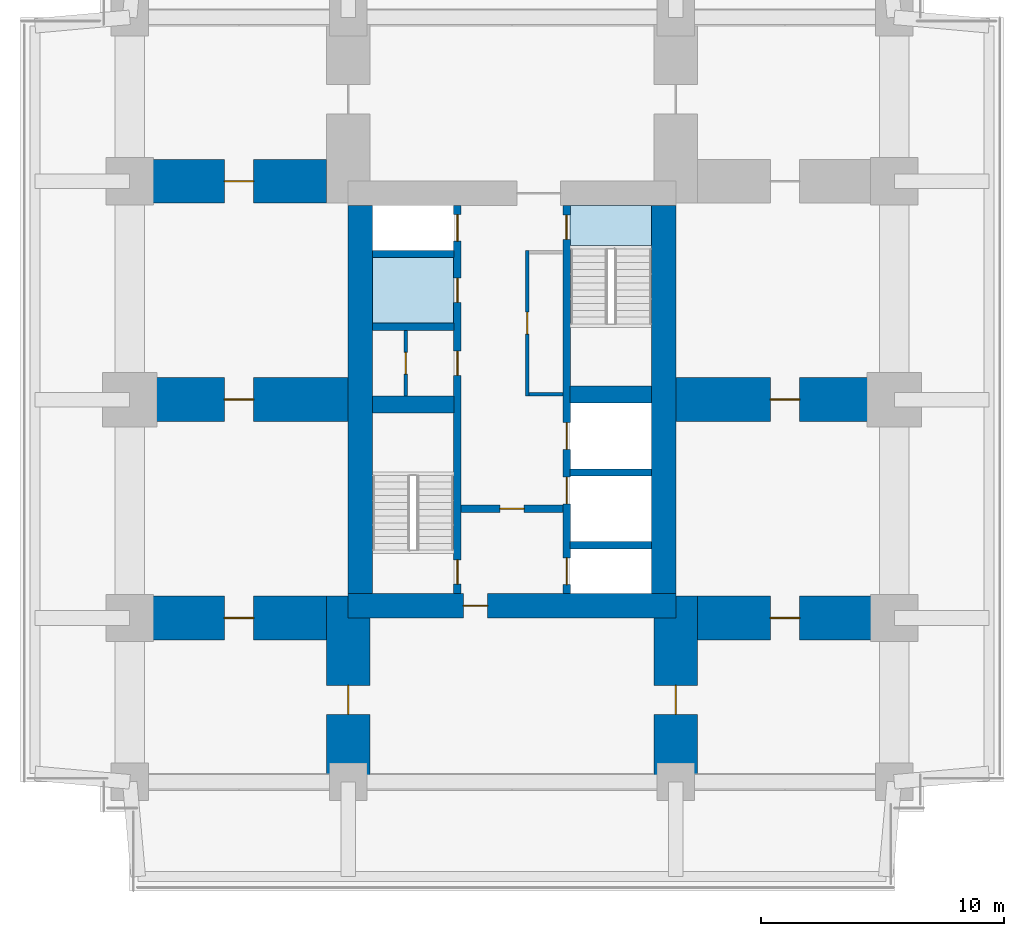
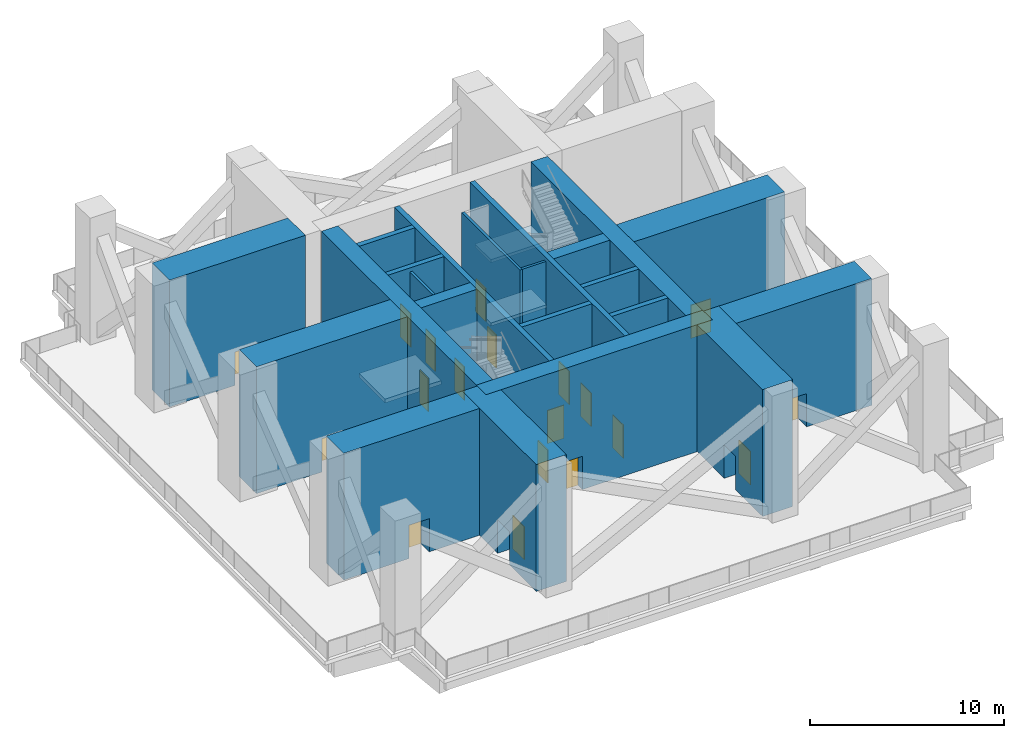
# One storey, part 2 of 6: 22 walls, 19 doors, 3 slabs, 19 openings, 1 element without a shape of its own.
"""IFC4 building model written with IfcOpenShell, lengths in metres."""

from ifc_helpers import new_model, si_unit, direction, frame, frame_2d, origin, place, context, subcontext, project, spatial, polyline, rectangle, outline, extrude, material, layer, layer_set, type_object, element, fill, aggregate, save


model = new_model("IFC4")

# Units and contexts
model_context = context("Model", 3, precision=1e-05, world=origin(), true_north=direction((0.0, 1.0)))
body_context = subcontext(model_context, "Body", "Model", "MODEL_VIEW")
ifc_project = project(units=[si_unit("LENGTHUNIT", "METRE"), si_unit("AREAUNIT", "SQUARE_METRE"), si_unit("VOLUMEUNIT", "CUBIC_METRE"), si_unit("PLANEANGLEUNIT", "RADIAN"), si_unit("MASSUNIT", "GRAM", prefix="KILO")], contexts=[model_context])

# Site, building, storey
site_placement = place(None, origin())
site = spatial("IfcSite", under=ifc_project, at=site_placement, CompositionType="ELEMENT")
building_placement = place(site_placement, origin())
building = spatial("IfcBuilding", under=site, at=building_placement, Name="Namib Vertical Campus", CompositionType="ELEMENT")
storey_placement = place(building_placement, frame((0.0, 0.0, 245.0)))
storey = spatial("IfcBuildingStorey", under=building, at=storey_placement, Name="L58", CompositionType="ELEMENT", Elevation=245.0)

# Slab
ifc_material_1 = material(Name="Concrete C40/50 precast", Category="concrete")
ifc_layer_1 = layer(ifc_material_1, 0.25)
ifc_layer_set_1 = layer_set([ifc_layer_1], Name="Concrete C40/50 precast")
slab_type_1 = type_object("IfcSlabType", Name="Shaft infill floor 250", PredefinedType="FLOOR", material=ifc_layer_set_1)
slab_1_placement = place(storey_placement, frame((0.0, 0.0, -0.25)))
element("IfcSlab", 1, at=slab_1_placement, inside=storey, type_object=slab_type_1, Name="Shaft infill floor A L58 P2", PredefinedType="FLOOR", context=body_context, shape_type="SweptSolid", body=[
    extrude(outline(polyline([(14.5, 23.39990234375), (17.85009765625, 23.39990234375), (17.85009765625, 26.10009765625), (14.5, 26.10009765625), (14.5, 23.39990234375)])), origin(), (0.0, 0.0, 1.0), 0.25),
])

# Stair, slabs
ifc_material_2 = material(Name="Concrete C40/50 precast", Category="concrete")
stair_type = type_object("IfcStairType", Name="Exit stair 8000 rise 48 risers 3350 wide", PredefinedType="HALF_TURN_STAIR", material=ifc_material_2)
stair_placement = place(storey_placement, origin())
stair = element("IfcStair", 2, at=stair_placement, inside=storey, type_object=stair_type, Name="Exit stair A-S2 L58", PredefinedType="HALF_TURN_STAIR")
ifc_material_3 = material(Name="Concrete C40/50", Category="concrete")
ifc_layer_2 = layer(ifc_material_3, 0.199951171875)
ifc_layer_set_2 = layer_set([ifc_layer_2], Name="Concrete C40/50")
slab_type_2 = type_object("IfcSlabType", Name="Stair landing 200", PredefinedType="LANDING", material=ifc_layer_set_2)
slab_2_placement = place(storey_placement, frame((0.0, 0.0, -0.199951171875)))
slab_2 = element("IfcSlab", 3, at=slab_2_placement, type_object=slab_type_2, Name="A-S2 landing 1", PredefinedType="LANDING", context=body_context, shape_type="SweptSolid", body=[
    extrude(outline(polyline([(22.64990234375, 26.59619140625), (26.0, 26.59619140625), (26.0, 28.25), (22.64990234375, 28.25), (22.64990234375, 26.59619140625)])), origin(), (0.0, 0.0, 1.0), 0.199951171875),
])
slab_3_placement = place(storey_placement, frame((0.0, 0.0, 3.800048828125)))
slab_3 = element("IfcSlab", 4, at=slab_3_placement, type_object=slab_type_2, Name="A-S2 landing 3", PredefinedType="LANDING", context=body_context, shape_type="SweptSolid", body=[
    extrude(outline(polyline([(22.64990234375, 26.59619140625), (26.0, 26.59619140625), (26.0, 28.25), (22.64990234375, 28.25), (22.64990234375, 26.59619140625)])), origin(), (0.0, 0.0, 1.0), 0.199951171875),
])
aggregate(stair, [slab_2, slab_3])

# Wall, openings, doors
ifc_material_4 = material(Name="Concrete C60/75", Category="concrete")
ifc_layer_3 = layer(ifc_material_4, 0.300048828125)
ifc_layer_set_3 = layer_set([ifc_layer_3], Name="Concrete C60/75")
wall_type_1 = type_object("IfcWallType", Name="Core inner wall 300", PredefinedType="SHEAR", material=ifc_layer_set_3)
wall_1_placement = place(storey_placement, frame((18.0, 12.25, 0.0), z_axis=(0.0, 0.0, 1.0), x_axis=(0.0, 1.0, 0.0)))
wall_1 = element("IfcWall", 5, at=wall_1_placement, inside=storey, type_object=wall_type_1, Name="Core inner wall A L58 W1", PredefinedType="SHEAR", context=body_context, shape_type="SweptSolid", body=[
    extrude(rectangle(XDim=16.0, YDim=0.300048828125, at=frame_2d((8.0, 0.0))), origin(), (0.0, 0.0, 1.0), 8.0),
])
opening_1_placement = place(wall_1_placement, frame((0.39990234375, 0.0, 0.0)))
opening_1 = element("IfcOpeningElement", 6, at=opening_1_placement, cuts=wall_1, Name="Opening FD1", PredefinedType="OPENING", context=body_context, shape_type="SweptSolid", body=[
    extrude(rectangle(XDim=1.0, YDim=2.10009765625, at=frame_2d((0.5, 1.050048828125))), frame((0.0, 0.159912109375, 0.0), z_axis=(0.0, -1.0, 0.0), x_axis=(1.0, 0.0, 0.0)), (0.0, 0.0, 1.0), 0.320068359375),
])
opening_2_placement = place(wall_1_placement, frame((14.52490234375, 0.0, 0.0)))
opening_2 = element("IfcOpeningElement", 7, at=opening_2_placement, cuts=wall_1, Name="Opening LD1", PredefinedType="OPENING", context=body_context, shape_type="SweptSolid", body=[
    extrude(rectangle(XDim=1.10009765625, YDim=2.10009765625, at=frame_2d((0.550048828125, 1.050048828125))), frame((0.0, 0.159912109375, 0.0), z_axis=(0.0, -1.0, 0.0), x_axis=(1.0, 0.0, 0.0)), (0.0, 0.0, 1.0), 0.320068359375),
])
opening_3_placement = place(wall_1_placement, frame((9.0, 0.0, 0.0)))
opening_3 = element("IfcOpeningElement", 8, at=opening_3_placement, cuts=wall_1, Name="Opening D1", PredefinedType="OPENING", context=body_context, shape_type="SweptSolid", body=[
    extrude(rectangle(XDim=1.0, YDim=2.10009765625, at=frame_2d((0.5, 1.050048828125))), frame((0.0, 0.159912109375, 0.0), z_axis=(0.0, -1.0, 0.0), x_axis=(1.0, 0.0, 0.0)), (0.0, 0.0, 1.0), 0.320068359375),
])
opening_4_placement = place(wall_1_placement, frame((12.0, 0.0, 0.0)))
opening_4 = element("IfcOpeningElement", 9, at=opening_4_placement, cuts=wall_1, Name="Opening D1", PredefinedType="OPENING", context=body_context, shape_type="SweptSolid", body=[
    extrude(rectangle(XDim=1.0, YDim=2.10009765625, at=frame_2d((0.5, 1.050048828125))), frame((0.0, 0.159912109375, 0.0), z_axis=(0.0, -1.0, 0.0), x_axis=(1.0, 0.0, 0.0)), (0.0, 0.0, 1.0), 0.320068359375),
])
ifc_material_5 = material(Name="Timber door leaf", Category="wood")
door_type_1 = type_object("IfcDoorType", Name="Door single 1000x2100", OperationType="SINGLE_SWING_LEFT", PredefinedType="DOOR", material=ifc_material_5)
door_1_placement = place(opening_3_placement, origin())
door_1 = element("IfcDoor", 10, at=door_1_placement, inside=storey, type_object=door_type_1, Name="Door D1 Store A L58 P1", OperationType="SINGLE_SWING_LEFT", OverallHeight=2.10009765625, OverallWidth=1.0, PredefinedType="DOOR", context=body_context, shape_type="SweptSolid", body=[
    extrude(rectangle(XDim=1.0, YDim=2.10009765625, at=frame_2d((0.5, 1.050048828125))), frame((0.0, 0.02490234375, 0.0), z_axis=(0.0, -1.0, 0.0), x_axis=(1.0, 0.0, 0.0)), (0.0, 0.0, 1.0), 0.050048828125),
])
fill(opening_3, door_1)
door_2_placement = place(opening_4_placement, origin())
door_2 = element("IfcDoor", 11, at=door_2_placement, inside=storey, type_object=door_type_1, Name="Door D1 Cleaners' store A L58 P2", OperationType="SINGLE_SWING_LEFT", OverallHeight=2.10009765625, OverallWidth=1.0, PredefinedType="DOOR", context=body_context, shape_type="SweptSolid", body=[
    extrude(rectangle(XDim=1.0, YDim=2.10009765625, at=frame_2d((0.5, 1.050048828125))), frame((0.0, 0.02490234375, 0.0), z_axis=(0.0, -1.0, 0.0), x_axis=(1.0, 0.0, 0.0)), (0.0, 0.0, 1.0), 0.050048828125),
])
fill(opening_4, door_2)
ifc_material_6 = material(Name="Steel fire door", Category="steel")
door_type_2 = type_object("IfcDoorType", Name="Fire door 1000x2100", OperationType="SINGLE_SWING_RIGHT", PredefinedType="DOOR", material=ifc_material_6)
door_3_placement = place(opening_1_placement, origin())
door_3 = element("IfcDoor", 12, at=door_3_placement, inside=storey, type_object=door_type_2, Name="Stair door FD1 A L58 S1", OperationType="SINGLE_SWING_LEFT", OverallHeight=2.10009765625, OverallWidth=1.0, PredefinedType="DOOR", context=body_context, shape_type="SweptSolid", body=[
    extrude(rectangle(XDim=1.0, YDim=2.10009765625, at=frame_2d((0.5, 1.050048828125))), frame((0.0, 0.02490234375, 0.0), z_axis=(0.0, -1.0, 0.0), x_axis=(1.0, 0.0, 0.0)), (0.0, 0.0, 1.0), 0.050048828125),
])
fill(opening_1, door_3)
ifc_material_7 = material(Name="Stainless steel lift door", Category="steel")
door_type_3 = type_object("IfcDoorType", Name="Lift landing door 1100x2100", OperationType="DOUBLE_DOOR_SLIDING", PredefinedType="DOOR", material=ifc_material_7)
door_4_placement = place(opening_2_placement, origin())
door_4 = element("IfcDoor", 13, at=door_4_placement, inside=storey, type_object=door_type_3, Name="Lift landing door LD1 A-P3 L58", OperationType="DOUBLE_DOOR_SLIDING", OverallHeight=2.10009765625, OverallWidth=1.10009765625, PredefinedType="DOOR", context=body_context, shape_type="SweptSolid", body=[
    extrude(rectangle(XDim=1.10009765625, YDim=2.10009765625, at=frame_2d((0.550048828125, 1.050048828125))), frame((0.0, 0.02490234375, 0.0), z_axis=(0.0, -1.0, 0.0), x_axis=(1.0, 0.0, 0.0)), (0.0, 0.0, 1.0), 0.050048828125),
])
fill(opening_2, door_4)

wall_2_placement = place(storey_placement, frame((22.5, 12.25, 0.0), z_axis=(0.0, 0.0, 1.0), x_axis=(0.0, 1.0, 0.0)))
wall_2 = element("IfcWall", 14, at=wall_2_placement, inside=storey, type_object=wall_type_1, Name="Core inner wall A L58 W2", PredefinedType="SHEAR", context=body_context, shape_type="SweptSolid", body=[
    extrude(rectangle(XDim=16.0, YDim=0.300048828125, at=frame_2d((8.0, 0.0))), origin(), (0.0, 0.0, 1.0), 8.0),
])
opening_5_placement = place(wall_2_placement, frame((14.60009765625, 0.0, 0.0)))
opening_5 = element("IfcOpeningElement", 15, at=opening_5_placement, cuts=wall_2, Name="Opening FD1", PredefinedType="OPENING", context=body_context, shape_type="SweptSolid", body=[
    extrude(rectangle(XDim=1.0, YDim=2.10009765625, at=frame_2d((0.5, 1.050048828125))), frame((0.0, 0.159912109375, 0.0), z_axis=(0.0, -1.0, 0.0), x_axis=(1.0, 0.0, 0.0)), (0.0, 0.0, 1.0), 0.320068359375),
])
opening_6_placement = place(wall_2_placement, frame((0.375, 0.0, 0.0)))
opening_6 = element("IfcOpeningElement", 16, at=opening_6_placement, cuts=wall_2, Name="Opening LD1", PredefinedType="OPENING", context=body_context, shape_type="SweptSolid", body=[
    extrude(rectangle(XDim=1.10009765625, YDim=2.10009765625, at=frame_2d((0.550048828125, 1.050048828125))), frame((0.0, 0.159912109375, 0.0), z_axis=(0.0, -1.0, 0.0), x_axis=(1.0, 0.0, 0.0)), (0.0, 0.0, 1.0), 0.320068359375),
])
opening_7_placement = place(wall_2_placement, frame((3.699951171875, 0.0, 0.0)))
opening_7 = element("IfcOpeningElement", 17, at=opening_7_placement, cuts=wall_2, Name="Opening LD1", PredefinedType="OPENING", context=body_context, shape_type="SweptSolid", body=[
    extrude(rectangle(XDim=1.10009765625, YDim=2.10009765625, at=frame_2d((0.550048828125, 1.050048828125))), frame((0.0, 0.159912109375, 0.0), z_axis=(0.0, -1.0, 0.0), x_axis=(1.0, 0.0, 0.0)), (0.0, 0.0, 1.0), 0.320068359375),
])
opening_8_placement = place(wall_2_placement, frame((5.949951171875, 0.0, 0.0)))
opening_8 = element("IfcOpeningElement", 18, at=opening_8_placement, cuts=wall_2, Name="Opening LD1", PredefinedType="OPENING", context=body_context, shape_type="SweptSolid", body=[
    extrude(rectangle(XDim=1.10009765625, YDim=2.10009765625, at=frame_2d((0.550048828125, 1.050048828125))), frame((0.0, 0.159912109375, 0.0), z_axis=(0.0, -1.0, 0.0), x_axis=(1.0, 0.0, 0.0)), (0.0, 0.0, 1.0), 0.320068359375),
])
door_5_placement = place(opening_5_placement, frame((1.0, 0.0, 0.0), z_axis=(0.0, 0.0, 1.0), x_axis=(-1.0, 0.0, 0.0)))
door_5 = element("IfcDoor", 19, at=door_5_placement, inside=storey, type_object=door_type_2, Name="Stair door FD1 A L58 S2", OperationType="SINGLE_SWING_LEFT", OverallHeight=2.10009765625, OverallWidth=1.0, PredefinedType="DOOR", context=body_context, shape_type="SweptSolid", body=[
    extrude(rectangle(XDim=1.0, YDim=2.10009765625, at=frame_2d((0.5, 1.050048828125))), frame((0.0, 0.02490234375, 0.0), z_axis=(0.0, -1.0, 0.0), x_axis=(1.0, 0.0, 0.0)), (0.0, 0.0, 1.0), 0.050048828125),
])
fill(opening_5, door_5)
door_6_placement = place(opening_6_placement, origin())
door_6 = element("IfcDoor", 20, at=door_6_placement, inside=storey, type_object=door_type_3, Name="Lift landing door LD1 A-FL1 L58", OperationType="DOUBLE_DOOR_SLIDING", OverallHeight=2.10009765625, OverallWidth=1.10009765625, PredefinedType="DOOR", context=body_context, shape_type="SweptSolid", body=[
    extrude(rectangle(XDim=1.10009765625, YDim=2.10009765625, at=frame_2d((0.550048828125, 1.050048828125))), frame((0.0, 0.02490234375, 0.0), z_axis=(0.0, -1.0, 0.0), x_axis=(1.0, 0.0, 0.0)), (0.0, 0.0, 1.0), 0.050048828125),
])
fill(opening_6, door_6)
door_7_placement = place(opening_7_placement, origin())
door_7 = element("IfcDoor", 21, at=door_7_placement, inside=storey, type_object=door_type_3, Name="Lift landing door LD1 A-P4 L58", OperationType="DOUBLE_DOOR_SLIDING", OverallHeight=2.10009765625, OverallWidth=1.10009765625, PredefinedType="DOOR", context=body_context, shape_type="SweptSolid", body=[
    extrude(rectangle(XDim=1.10009765625, YDim=2.10009765625, at=frame_2d((0.550048828125, 1.050048828125))), frame((0.0, 0.02490234375, 0.0), z_axis=(0.0, -1.0, 0.0), x_axis=(1.0, 0.0, 0.0)), (0.0, 0.0, 1.0), 0.050048828125),
])
fill(opening_7, door_7)
door_8_placement = place(opening_8_placement, origin())
door_8 = element("IfcDoor", 22, at=door_8_placement, inside=storey, type_object=door_type_3, Name="Lift landing door LD1 A-P5 L58", OperationType="DOUBLE_DOOR_SLIDING", OverallHeight=2.10009765625, OverallWidth=1.10009765625, PredefinedType="DOOR", context=body_context, shape_type="SweptSolid", body=[
    extrude(rectangle(XDim=1.10009765625, YDim=2.10009765625, at=frame_2d((0.550048828125, 1.050048828125))), frame((0.0, 0.02490234375, 0.0), z_axis=(0.0, -1.0, 0.0), x_axis=(1.0, 0.0, 0.0)), (0.0, 0.0, 1.0), 0.050048828125),
])
fill(opening_8, door_8)

# Wall, opening, door
wall_3_placement = place(storey_placement, frame((18.14990234375, 15.75, 0.0), z_axis=(0.0, 0.0, 1.0), x_axis=(1.0, 0.0, 0.0)))
wall_3 = element("IfcWall", 23, at=wall_3_placement, inside=storey, type_object=wall_type_1, Name="Core inner wall A L58 W4", PredefinedType="SHEAR", context=body_context, shape_type="SweptSolid", body=[
    extrude(rectangle(XDim=4.2001953125, YDim=0.300048828125, at=frame_2d((2.10009765625, 0.0))), origin(), (0.0, 0.0, 1.0), 8.0),
])
opening_9_placement = place(wall_3_placement, frame((1.60009765625, 0.0, 0.0)))
opening_9 = element("IfcOpeningElement", 24, at=opening_9_placement, cuts=wall_3, Name="Opening FD5", PredefinedType="OPENING", context=body_context, shape_type="SweptSolid", body=[
    extrude(rectangle(XDim=1.0, YDim=2.10009765625, at=frame_2d((0.5, 1.050048828125))), frame((0.0, 0.159912109375, 0.0), z_axis=(0.0, -1.0, 0.0), x_axis=(1.0, 0.0, 0.0)), (0.0, 0.0, 1.0), 0.320068359375),
])
ifc_material_8 = material(Name="Steel fire door", Category="steel")
door_type_4 = type_object("IfcDoorType", Name="Fire door 1000x2100 120 min", OperationType="SINGLE_SWING_RIGHT", PredefinedType="DOOR", material=ifc_material_8)
door_9_placement = place(opening_9_placement, frame((1.0, 0.0, 0.0), z_axis=(0.0, 0.0, 1.0), x_axis=(-1.0, 0.0, 0.0)))
door_9 = element("IfcDoor", 25, at=door_9_placement, inside=storey, type_object=door_type_4, Name="Lobby door FD5 A L58", OperationType="SINGLE_SWING_RIGHT", OverallHeight=2.10009765625, OverallWidth=1.0, PredefinedType="DOOR", context=body_context, shape_type="SweptSolid", body=[
    extrude(rectangle(XDim=1.0, YDim=2.10009765625, at=frame_2d((0.5, 1.050048828125))), frame((0.0, 0.02490234375, 0.0), z_axis=(0.0, -1.0, 0.0), x_axis=(1.0, 0.0, 0.0)), (0.0, 0.0, 1.0), 0.050048828125),
])
fill(opening_9, door_9)

# Walls
for number, where, z_axis, x_axis, name in (
    (26, (22.64990234375, 14.25, 0.0), (0.0, 0.0, 1.0), (1.0, 0.0, 0.0), "Core inner wall A L58 W5"),
    (27, (22.64990234375, 17.25, 0.0), (0.0, 0.0, 1.0), (1.0, 0.0, 0.0), "Core inner wall A L58 W6"),
    (28, (14.5, 23.25, 0.0), (0.0, 0.0, 1.0), (1.0, 0.0, 0.0), "Core inner wall A L58 W8"),
    (29, (14.5, 26.25, 0.0), (0.0, 0.0, 1.0), (1.0, 0.0, 0.0), "Core inner wall A L58 W9"),
):
    element("IfcWall", number, at=place(storey_placement, frame(where, z_axis=z_axis, x_axis=x_axis)), inside=storey, type_object=wall_type_1, Name=name, PredefinedType="SHEAR", context=body_context, shape_type="SweptSolid", body=[
        extrude(rectangle(XDim=3.35009765625, YDim=0.300048828125, at=frame_2d((1.675048828125, 0.0))), origin(), (0.0, 0.0, 1.0), 8.0),
    ])
ifc_material_9 = material(Name="Concrete C60/75", Category="concrete")
ifc_layer_4 = layer(ifc_material_9, 0.699951171875)
ifc_layer_set_4 = layer_set([ifc_layer_4], Name="Concrete C60/75")
wall_type_2 = type_object("IfcWallType", Name="Core shear wall 700", PredefinedType="SHEAR", material=ifc_layer_set_4)
for number, where, z_axis, x_axis, name in (
    (30, (14.5, 20.050048828125, 0.0), (0.0, 0.0, 1.0), (1.0, 0.0, 0.0), "Core shear wall A L58 W3"),
    (31, (22.64990234375, 20.449951171875, 0.0), (0.0, 0.0, 1.0), (1.0, 0.0, 0.0), "Core shear wall A L58 W7"),
):
    element("IfcWall", number, at=place(storey_placement, frame(where, z_axis=z_axis, x_axis=x_axis)), inside=storey, type_object=wall_type_2, Name=name, PredefinedType="SHEAR", context=body_context, shape_type="SweptSolid", body=[
        extrude(rectangle(XDim=3.35009765625, YDim=0.699951171875, at=frame_2d((1.675048828125, 0.0))), origin(), (0.0, 0.0, 1.0), 8.0),
    ])

# Wall, opening, door
ifc_material_10 = material(Name="Concrete C60/75", Category="concrete")
ifc_layer_5 = layer(ifc_material_10, 1.0)
ifc_layer_set_5 = layer_set([ifc_layer_5], Name="Concrete C60/75")
wall_type_3 = type_object("IfcWallType", Name="Core wall 1000", PredefinedType="SHEAR", material=ifc_layer_set_5)
wall_4_placement = place(storey_placement, frame((13.5, 11.75, 0.0), z_axis=(0.0, 0.0, 1.0), x_axis=(1.0, 0.0, 0.0)))
wall_4 = element("IfcWall", 32, at=wall_4_placement, inside=storey, type_object=wall_type_3, Name="Core wall A L58 1", PredefinedType="SHEAR", context=body_context, shape_type="SweptSolid", body=[
    extrude(rectangle(XDim=13.5, YDim=1.0, at=frame_2d((6.75, 0.0))), origin(), (0.0, 0.0, 1.0), 8.0),
])
opening_10_placement = place(wall_4_placement, frame((4.75, 0.0, 0.0)))
opening_10 = element("IfcOpeningElement", 33, at=opening_10_placement, cuts=wall_4, Name="Opening FD5", PredefinedType="OPENING", context=body_context, shape_type="SweptSolid", body=[
    extrude(rectangle(XDim=1.0, YDim=2.10009765625, at=frame_2d((0.5, 1.050048828125))), frame((0.0, 0.510009765625, 0.0), z_axis=(0.0, -1.0, 0.0), x_axis=(1.0, 0.0, 0.0)), (0.0, 0.0, 1.0), 1.02001953125),
])
door_10_placement = place(opening_10_placement, frame((1.0, 0.0, 0.0), z_axis=(0.0, 0.0, 1.0), x_axis=(-1.0, 0.0, 0.0)))
door_10 = element("IfcDoor", 34, at=door_10_placement, inside=storey, type_object=door_type_4, Name="Firefighting lobby door FD5 A L58", OperationType="SINGLE_SWING_LEFT", OverallHeight=2.10009765625, OverallWidth=1.0, PredefinedType="DOOR", context=body_context, shape_type="SweptSolid", body=[
    extrude(rectangle(XDim=1.0, YDim=2.10009765625, at=frame_2d((0.5, 1.050048828125))), frame((0.0, 0.02490234375, 0.0), z_axis=(0.0, -1.0, 0.0), x_axis=(1.0, 0.0, 0.0)), (0.0, 0.0, 1.0), 0.050048828125),
])
fill(opening_10, door_10)

# Walls
for number, where, z_axis, x_axis, name in (
    (35, (26.5, 12.25, 0.0), (0.0, 0.0, 1.0), (0.0, 1.0, 0.0), "Core wall A L58 2"),
    (36, (14.0, 28.25, 0.0), (0.0, 0.0, 1.0), (0.0, -1.0, 0.0), "Core wall A L58 4"),
):
    element("IfcWall", number, at=place(storey_placement, frame(where, z_axis=z_axis, x_axis=x_axis)), inside=storey, type_object=wall_type_3, Name=name, PredefinedType="SHEAR", context=body_context, shape_type="SweptSolid", body=[
        extrude(rectangle(XDim=16.0, YDim=1.0, at=frame_2d((8.0, 0.0))), origin(), (0.0, 0.0, 1.0), 8.0),
    ])

# Wall, opening, door
ifc_material_11 = material(Name="Concrete C60/75", Category="concrete")
ifc_layer_6 = layer(ifc_material_11, 1.800048828125)
ifc_layer_set_6 = layer_set([ifc_layer_6], Name="Concrete C60/75")
wall_type_4 = type_object("IfcWallType", Name="Outrigger wall 1800", PredefinedType="SHEAR", material=ifc_layer_set_6)
wall_5_placement = place(storey_placement, frame((13.5, 4.5, 0.0), z_axis=(0.0, 0.0, 1.0), x_axis=(0.0, 1.0, 0.0)))
wall_5 = element("IfcWall", 37, at=wall_5_placement, inside=storey, type_object=wall_type_4, Name="Outrigger wall A L58 OR1", PredefinedType="SHEAR", context=body_context, shape_type="SweptSolid", body=[
    extrude(rectangle(XDim=7.64990234375, YDim=1.800048828125, at=frame_2d((3.824951171875, 0.0))), origin(), (0.0, 0.0, 1.0), 8.0),
])
opening_11_placement = place(wall_5_placement, frame((2.77490234375, 0.0, 0.0)))
opening_11 = element("IfcOpeningElement", 38, at=opening_11_placement, cuts=wall_5, Name="Opening RD1", PredefinedType="OPENING", context=body_context, shape_type="SweptSolid", body=[
    extrude(rectangle(XDim=1.199951171875, YDim=2.10009765625, at=frame_2d((0.60009765625, 1.050048828125))), frame((0.0, 0.909912109375, 0.0), z_axis=(0.0, -1.0, 0.0), x_axis=(1.0, 0.0, 0.0)), (0.0, 0.0, 1.0), 1.820068359375),
])
ifc_material_12 = material(Name="Steel fire door", Category="steel")
door_type_5 = type_object("IfcDoorType", Name="Refuge door 1200x2100", OperationType="DOUBLE_DOOR_DOUBLE_SWING", PredefinedType="DOOR", material=ifc_material_12)
door_11_placement = place(opening_11_placement, origin())
door_11 = element("IfcDoor", 39, at=door_11_placement, inside=storey, type_object=door_type_5, Name="Refuge door RD1 A L58 OR1", OperationType="DOUBLE_DOOR_DOUBLE_SWING", OverallHeight=2.10009765625, OverallWidth=1.199951171875, PredefinedType="DOOR", context=body_context, shape_type="SweptSolid", body=[
    extrude(rectangle(XDim=1.199951171875, YDim=2.10009765625, at=frame_2d((0.60009765625, 1.050048828125))), frame((0.0, 0.02490234375, 0.0), z_axis=(0.0, -1.0, 0.0), x_axis=(1.0, 0.0, 0.0)), (0.0, 0.0, 1.0), 0.050048828125),
])
fill(opening_11, door_11)

wall_6_placement = place(storey_placement, frame((27.0, 4.5, 0.0), z_axis=(0.0, 0.0, 1.0), x_axis=(0.0, 1.0, 0.0)))
wall_6 = element("IfcWall", 40, at=wall_6_placement, inside=storey, type_object=wall_type_4, Name="Outrigger wall A L58 OR2", PredefinedType="SHEAR", context=body_context, shape_type="SweptSolid", body=[
    extrude(rectangle(XDim=7.64990234375, YDim=1.800048828125, at=frame_2d((3.824951171875, 0.0))), origin(), (0.0, 0.0, 1.0), 8.0),
])
opening_12_placement = place(wall_6_placement, frame((2.77490234375, 0.0, 0.0)))
opening_12 = element("IfcOpeningElement", 41, at=opening_12_placement, cuts=wall_6, Name="Opening RD1", PredefinedType="OPENING", context=body_context, shape_type="SweptSolid", body=[
    extrude(rectangle(XDim=1.199951171875, YDim=2.10009765625, at=frame_2d((0.60009765625, 1.050048828125))), frame((0.0, 0.909912109375, 0.0), z_axis=(0.0, -1.0, 0.0), x_axis=(1.0, 0.0, 0.0)), (0.0, 0.0, 1.0), 1.820068359375),
])
door_12_placement = place(opening_12_placement, origin())
door_12 = element("IfcDoor", 42, at=door_12_placement, inside=storey, type_object=door_type_5, Name="Refuge door RD1 A L58 OR2", OperationType="DOUBLE_DOOR_DOUBLE_SWING", OverallHeight=2.10009765625, OverallWidth=1.199951171875, PredefinedType="DOOR", context=body_context, shape_type="SweptSolid", body=[
    extrude(rectangle(XDim=1.199951171875, YDim=2.10009765625, at=frame_2d((0.60009765625, 1.050048828125))), frame((0.0, 0.02490234375, 0.0), z_axis=(0.0, -1.0, 0.0), x_axis=(1.0, 0.0, 0.0)), (0.0, 0.0, 1.0), 0.050048828125),
])
fill(opening_12, door_12)

wall_7_placement = place(storey_placement, frame((4.5, 20.25, 0.0), z_axis=(0.0, 0.0, 1.0), x_axis=(1.0, 0.0, 0.0)))
wall_7 = element("IfcWall", 43, at=wall_7_placement, inside=storey, type_object=wall_type_4, Name="Outrigger wall A L58 OR5", PredefinedType="SHEAR", context=body_context, shape_type="SweptSolid", body=[
    extrude(rectangle(XDim=9.0, YDim=1.800048828125, at=frame_2d((4.5, 0.0))), origin(), (0.0, 0.0, 1.0), 8.0),
])
opening_13_placement = place(wall_7_placement, frame((3.89990234375, 0.0, 0.0)))
opening_13 = element("IfcOpeningElement", 44, at=opening_13_placement, cuts=wall_7, Name="Opening RD1", PredefinedType="OPENING", context=body_context, shape_type="SweptSolid", body=[
    extrude(rectangle(XDim=1.199951171875, YDim=2.10009765625, at=frame_2d((0.60009765625, 1.050048828125))), frame((0.0, 0.909912109375, 0.0), z_axis=(0.0, -1.0, 0.0), x_axis=(1.0, 0.0, 0.0)), (0.0, 0.0, 1.0), 1.820068359375),
])
door_13_placement = place(opening_13_placement, origin())
door_13 = element("IfcDoor", 45, at=door_13_placement, inside=storey, type_object=door_type_5, Name="Refuge door RD1 A L58 OR5", OperationType="DOUBLE_DOOR_DOUBLE_SWING", OverallHeight=2.10009765625, OverallWidth=1.199951171875, PredefinedType="DOOR", context=body_context, shape_type="SweptSolid", body=[
    extrude(rectangle(XDim=1.199951171875, YDim=2.10009765625, at=frame_2d((0.60009765625, 1.050048828125))), frame((0.0, 0.02490234375, 0.0), z_axis=(0.0, -1.0, 0.0), x_axis=(1.0, 0.0, 0.0)), (0.0, 0.0, 1.0), 0.050048828125),
])
fill(opening_13, door_13)

wall_8_placement = place(storey_placement, frame((27.0, 20.25, 0.0), z_axis=(0.0, 0.0, 1.0), x_axis=(1.0, 0.0, 0.0)))
wall_8 = element("IfcWall", 46, at=wall_8_placement, inside=storey, type_object=wall_type_4, Name="Outrigger wall A L58 OR6", PredefinedType="SHEAR", context=body_context, shape_type="SweptSolid", body=[
    extrude(rectangle(XDim=9.0, YDim=1.800048828125, at=frame_2d((4.5, 0.0))), origin(), (0.0, 0.0, 1.0), 8.0),
])
opening_14_placement = place(wall_8_placement, frame((3.89990234375, 0.0, 0.0)))
opening_14 = element("IfcOpeningElement", 47, at=opening_14_placement, cuts=wall_8, Name="Opening RD1", PredefinedType="OPENING", context=body_context, shape_type="SweptSolid", body=[
    extrude(rectangle(XDim=1.199951171875, YDim=2.10009765625, at=frame_2d((0.60009765625, 1.050048828125))), frame((0.0, 0.909912109375, 0.0), z_axis=(0.0, -1.0, 0.0), x_axis=(1.0, 0.0, 0.0)), (0.0, 0.0, 1.0), 1.820068359375),
])
door_14_placement = place(opening_14_placement, origin())
door_14 = element("IfcDoor", 48, at=door_14_placement, inside=storey, type_object=door_type_5, Name="Refuge door RD1 A L58 OR6", OperationType="DOUBLE_DOOR_DOUBLE_SWING", OverallHeight=2.10009765625, OverallWidth=1.199951171875, PredefinedType="DOOR", context=body_context, shape_type="SweptSolid", body=[
    extrude(rectangle(XDim=1.199951171875, YDim=2.10009765625, at=frame_2d((0.60009765625, 1.050048828125))), frame((0.0, 0.02490234375, 0.0), z_axis=(0.0, -1.0, 0.0), x_axis=(1.0, 0.0, 0.0)), (0.0, 0.0, 1.0), 0.050048828125),
])
fill(opening_14, door_14)

wall_9_placement = place(storey_placement, frame((4.5, 11.25, 0.0), z_axis=(0.0, 0.0, 1.0), x_axis=(1.0, 0.0, 0.0)))
wall_9 = element("IfcWall", 49, at=wall_9_placement, inside=storey, type_object=wall_type_4, Name="Outrigger wall A L58 OR7", PredefinedType="SHEAR", context=body_context, shape_type="SweptSolid", body=[
    extrude(rectangle(XDim=8.10009765625, YDim=1.800048828125, at=frame_2d((4.050048828125, 0.0))), origin(), (0.0, 0.0, 1.0), 8.0),
])
opening_15_placement = place(wall_9_placement, frame((3.89990234375, 0.0, 0.0)))
opening_15 = element("IfcOpeningElement", 50, at=opening_15_placement, cuts=wall_9, Name="Opening RD1", PredefinedType="OPENING", context=body_context, shape_type="SweptSolid", body=[
    extrude(rectangle(XDim=1.199951171875, YDim=2.10009765625, at=frame_2d((0.60009765625, 1.050048828125))), frame((0.0, 0.909912109375, 0.0), z_axis=(0.0, -1.0, 0.0), x_axis=(1.0, 0.0, 0.0)), (0.0, 0.0, 1.0), 1.820068359375),
])
door_15_placement = place(opening_15_placement, origin())
door_15 = element("IfcDoor", 51, at=door_15_placement, inside=storey, type_object=door_type_5, Name="Refuge door RD1 A L58 OR7", OperationType="DOUBLE_DOOR_DOUBLE_SWING", OverallHeight=2.10009765625, OverallWidth=1.199951171875, PredefinedType="DOOR", context=body_context, shape_type="SweptSolid", body=[
    extrude(rectangle(XDim=1.199951171875, YDim=2.10009765625, at=frame_2d((0.60009765625, 1.050048828125))), frame((0.0, 0.02490234375, 0.0), z_axis=(0.0, -1.0, 0.0), x_axis=(1.0, 0.0, 0.0)), (0.0, 0.0, 1.0), 0.050048828125),
])
fill(opening_15, door_15)

wall_10_placement = place(storey_placement, frame((27.89990234375, 11.25, 0.0), z_axis=(0.0, 0.0, 1.0), x_axis=(1.0, 0.0, 0.0)))
wall_10 = element("IfcWall", 52, at=wall_10_placement, inside=storey, type_object=wall_type_4, Name="Outrigger wall A L58 OR8", PredefinedType="SHEAR", context=body_context, shape_type="SweptSolid", body=[
    extrude(rectangle(XDim=8.10009765625, YDim=1.800048828125, at=frame_2d((4.050048828125, 0.0))), origin(), (0.0, 0.0, 1.0), 8.0),
])
opening_16_placement = place(wall_10_placement, frame((3.0, 0.0, 0.0)))
opening_16 = element("IfcOpeningElement", 53, at=opening_16_placement, cuts=wall_10, Name="Opening RD1", PredefinedType="OPENING", context=body_context, shape_type="SweptSolid", body=[
    extrude(rectangle(XDim=1.199951171875, YDim=2.10009765625, at=frame_2d((0.60009765625, 1.050048828125))), frame((0.0, 0.909912109375, 0.0), z_axis=(0.0, -1.0, 0.0), x_axis=(1.0, 0.0, 0.0)), (0.0, 0.0, 1.0), 1.820068359375),
])
door_16_placement = place(opening_16_placement, origin())
door_16 = element("IfcDoor", 54, at=door_16_placement, inside=storey, type_object=door_type_5, Name="Refuge door RD1 A L58 OR8", OperationType="DOUBLE_DOOR_DOUBLE_SWING", OverallHeight=2.10009765625, OverallWidth=1.199951171875, PredefinedType="DOOR", context=body_context, shape_type="SweptSolid", body=[
    extrude(rectangle(XDim=1.199951171875, YDim=2.10009765625, at=frame_2d((0.60009765625, 1.050048828125))), frame((0.0, 0.02490234375, 0.0), z_axis=(0.0, -1.0, 0.0), x_axis=(1.0, 0.0, 0.0)), (0.0, 0.0, 1.0), 0.050048828125),
])
fill(opening_16, door_16)

wall_11_placement = place(storey_placement, frame((4.5, 29.25, 0.0), z_axis=(0.0, 0.0, 1.0), x_axis=(1.0, 0.0, 0.0)))
wall_11 = element("IfcWall", 55, at=wall_11_placement, inside=storey, type_object=wall_type_4, Name="Outrigger wall A L58 OR9", PredefinedType="SHEAR", context=body_context, shape_type="SweptSolid", body=[
    extrude(rectangle(XDim=8.10009765625, YDim=1.800048828125, at=frame_2d((4.050048828125, 0.0))), origin(), (0.0, 0.0, 1.0), 8.0),
])
opening_17_placement = place(wall_11_placement, frame((3.89990234375, 0.0, 0.0)))
opening_17 = element("IfcOpeningElement", 56, at=opening_17_placement, cuts=wall_11, Name="Opening RD1", PredefinedType="OPENING", context=body_context, shape_type="SweptSolid", body=[
    extrude(rectangle(XDim=1.199951171875, YDim=2.10009765625, at=frame_2d((0.60009765625, 1.050048828125))), frame((0.0, 0.909912109375, 0.0), z_axis=(0.0, -1.0, 0.0), x_axis=(1.0, 0.0, 0.0)), (0.0, 0.0, 1.0), 1.820068359375),
])
door_17_placement = place(opening_17_placement, origin())
door_17 = element("IfcDoor", 57, at=door_17_placement, inside=storey, type_object=door_type_5, Name="Refuge door RD1 A L58 OR9", OperationType="DOUBLE_DOOR_DOUBLE_SWING", OverallHeight=2.10009765625, OverallWidth=1.199951171875, PredefinedType="DOOR", context=body_context, shape_type="SweptSolid", body=[
    extrude(rectangle(XDim=1.199951171875, YDim=2.10009765625, at=frame_2d((0.60009765625, 1.050048828125))), frame((0.0, 0.02490234375, 0.0), z_axis=(0.0, -1.0, 0.0), x_axis=(1.0, 0.0, 0.0)), (0.0, 0.0, 1.0), 0.050048828125),
])
fill(opening_17, door_17)

ifc_material_13 = material(Name="Gypsum board on steel studs", Category="steel")
ifc_layer_7 = layer(ifc_material_13, 0.14990234375)
ifc_layer_set_7 = layer_set([ifc_layer_7], Name="Gypsum board on steel studs")
wall_type_5 = type_object("IfcWallType", Name="Partition 150", PredefinedType="PARTITIONING", material=ifc_layer_set_7)
wall_12_placement = place(storey_placement, frame((20.875, 20.39990234375, 0.0), z_axis=(0.0, 0.0, 1.0), x_axis=(0.0, 1.0, 0.0)))
wall_12 = element("IfcWall", 58, at=wall_12_placement, inside=storey, type_object=wall_type_5, Name="Partition A L58 Store front", PredefinedType="PARTITIONING", context=body_context, shape_type="SweptSolid", body=[
    extrude(rectangle(XDim=6.0, YDim=0.14990234375, at=frame_2d((3.0, 0.0))), origin(), (0.0, 0.0, 1.0), 7.75),
])
opening_18_placement = place(wall_12_placement, frame((2.550048828125, 0.0, 0.0)))
opening_18 = element("IfcOpeningElement", 59, at=opening_18_placement, cuts=wall_12, Name="Opening D3", PredefinedType="OPENING", context=body_context, shape_type="SweptSolid", body=[
    extrude(rectangle(XDim=0.89990234375, YDim=2.10009765625, at=frame_2d((0.449951171875, 1.050048828125))), frame((0.0, 0.0849609375, 0.0), z_axis=(0.0, -1.0, 0.0), x_axis=(1.0, 0.0, 0.0)), (0.0, 0.0, 1.0), 0.169921875),
])
ifc_material_14 = material(Name="Timber door leaf", Category="wood")
door_type_6 = type_object("IfcDoorType", Name="Toilet door 900x2100", OperationType="SINGLE_SWING_LEFT", PredefinedType="DOOR", material=ifc_material_14)
door_18_placement = place(opening_18_placement, frame((0.89990234375, 0.0, 0.0), z_axis=(0.0, 0.0, 1.0), x_axis=(-1.0, 0.0, 0.0)))
door_18 = element("IfcDoor", 60, at=door_18_placement, inside=storey, type_object=door_type_6, Name="Door D3 Store A L58", OperationType="SINGLE_SWING_RIGHT", OverallHeight=2.10009765625, OverallWidth=0.89990234375, PredefinedType="DOOR", context=body_context, shape_type="SweptSolid", body=[
    extrude(rectangle(XDim=0.89990234375, YDim=2.10009765625, at=frame_2d((0.449951171875, 1.050048828125))), frame((0.0, 0.02490234375, 0.0), z_axis=(0.0, -1.0, 0.0), x_axis=(1.0, 0.0, 0.0)), (0.0, 0.0, 1.0), 0.050048828125),
])
fill(opening_18, door_18)

# Wall
wall_13_placement = place(storey_placement, frame((20.949951171875, 20.47509765625, 0.0), z_axis=(0.0, 0.0, 1.0), x_axis=(1.0, 0.0, 0.0)))
element("IfcWall", 61, at=wall_13_placement, inside=storey, type_object=wall_type_5, Name="Partition A L58 Store end 1", PredefinedType="PARTITIONING", context=body_context, shape_type="SweptSolid", body=[
    extrude(rectangle(XDim=1.400146484375, YDim=0.14990234375, at=frame_2d((0.7001953125, 0.0))), origin(), (0.0, 0.0, 1.0), 7.75),
])

# Wall, opening, door
wall_14_placement = place(storey_placement, frame((15.875, 20.39990234375, 0.0), z_axis=(0.0, 0.0, 1.0), x_axis=(0.0, 1.0, 0.0)))
wall_14 = element("IfcWall", 62, at=wall_14_placement, inside=storey, type_object=wall_type_5, Name="Partition A L58 Store P1 back", PredefinedType="PARTITIONING", context=body_context, shape_type="SweptSolid", body=[
    extrude(rectangle(XDim=2.7001953125, YDim=0.14990234375, at=frame_2d((1.35009765625, 0.0))), origin(), (0.0, 0.0, 1.0), 7.75),
])
opening_19_placement = place(wall_14_placement, frame((0.89990234375, 0.0, 0.0)))
opening_19 = element("IfcOpeningElement", 63, at=opening_19_placement, cuts=wall_14, Name="Opening D3", PredefinedType="OPENING", context=body_context, shape_type="SweptSolid", body=[
    extrude(rectangle(XDim=0.89990234375, YDim=2.10009765625, at=frame_2d((0.449951171875, 1.050048828125))), frame((0.0, 0.0849609375, 0.0), z_axis=(0.0, -1.0, 0.0), x_axis=(1.0, 0.0, 0.0)), (0.0, 0.0, 1.0), 0.169921875),
])
door_19_placement = place(opening_19_placement, origin())
door_19 = element("IfcDoor", 64, at=door_19_placement, inside=storey, type_object=door_type_6, Name="Door D3 Store A L58 P1", OperationType="SINGLE_SWING_LEFT", OverallHeight=2.10009765625, OverallWidth=0.89990234375, PredefinedType="DOOR", context=body_context, shape_type="SweptSolid", body=[
    extrude(rectangle(XDim=0.89990234375, YDim=2.10009765625, at=frame_2d((0.449951171875, 1.050048828125))), frame((0.0, 0.02490234375, 0.0), z_axis=(0.0, -1.0, 0.0), x_axis=(1.0, 0.0, 0.0)), (0.0, 0.0, 1.0), 0.050048828125),
])
fill(opening_19, door_19)

save(model, "model.ifc")
